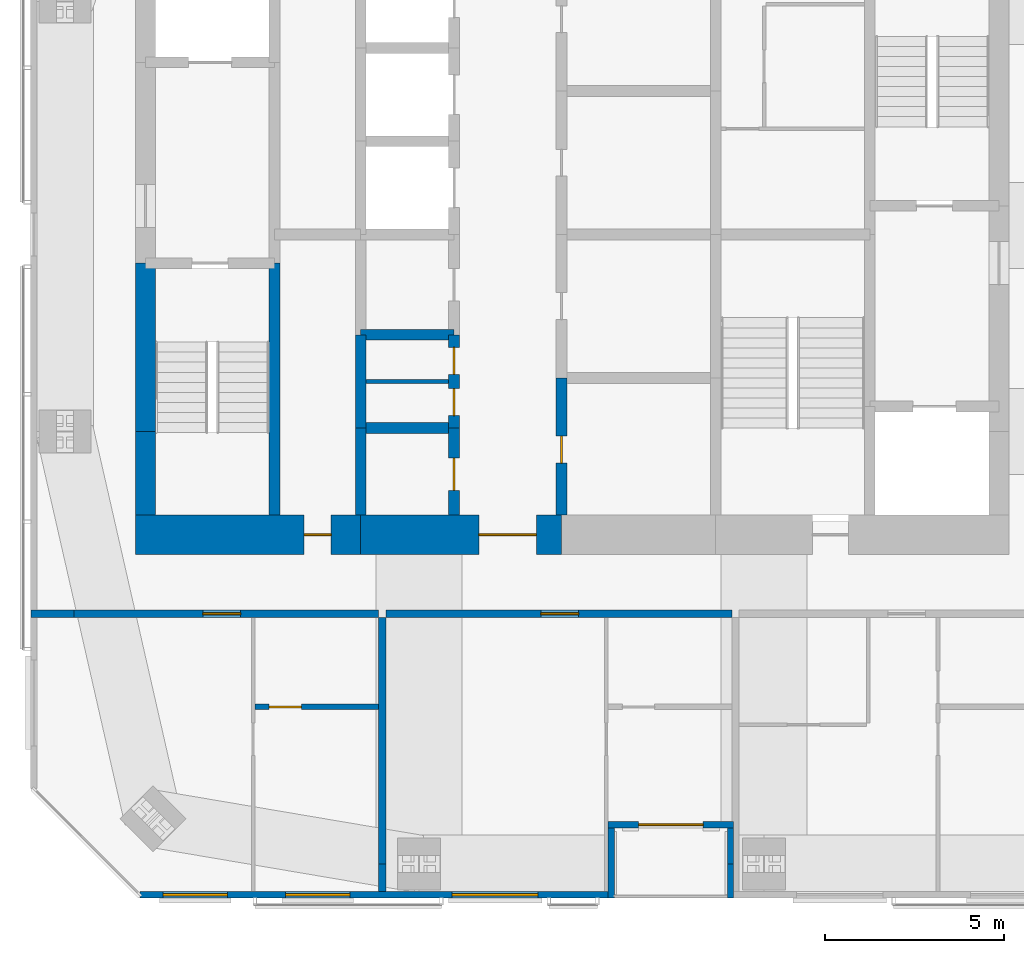
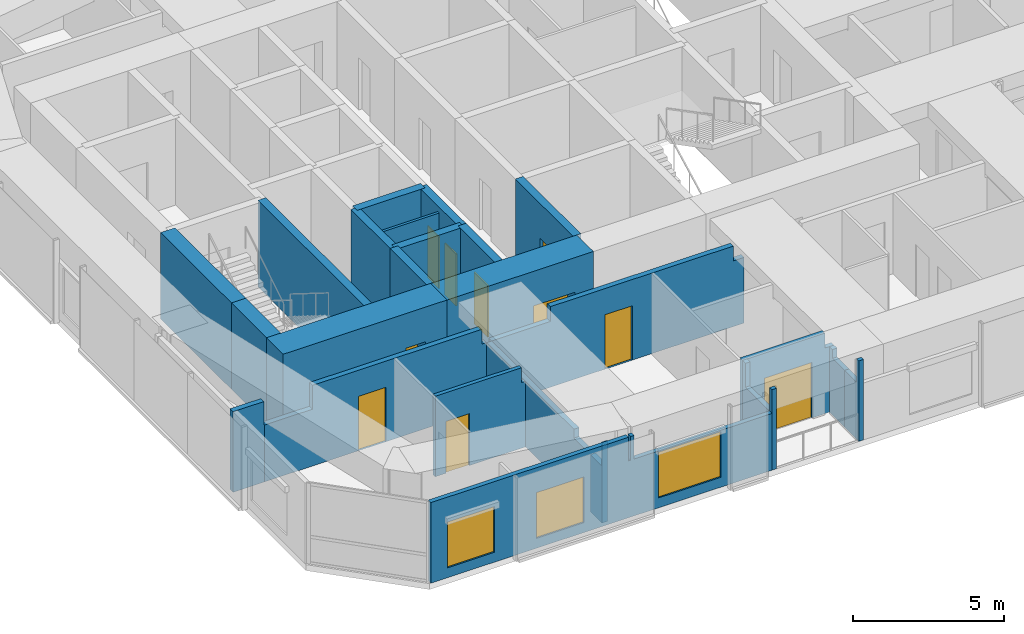
# One storey, part 14 of 20: 24 walls, 10 doors, 3 windows, 13 openings.
"""IFC4 building model written with IfcOpenShell, lengths in metres."""

from ifc_helpers import new_model, si_unit, direction, frame, frame_2d, origin, place, context, subcontext, project, spatial, polyline, rectangle, outline, extrude, material, layer, layer_set, constituent, constituent_set, type_object, element, fill, save


model = new_model("IFC4")

# Units and contexts
model_context = context("Model", 3, precision=1e-05, world=origin(), true_north=direction((0.0, 1.0)))
body_context = subcontext(model_context, "Body", "Model", "MODEL_VIEW")
ifc_project = project(units=[si_unit("LENGTHUNIT", "METRE"), si_unit("AREAUNIT", "SQUARE_METRE"), si_unit("VOLUMEUNIT", "CUBIC_METRE"), si_unit("PLANEANGLEUNIT", "RADIAN"), si_unit("MASSUNIT", "GRAM", prefix="KILO")], contexts=[model_context])

# Site, building, storey
site_placement = place(None, origin())
site = spatial("IfcSite", under=ifc_project, at=site_placement, CompositionType="ELEMENT")
building_placement = place(site_placement, origin())
building = spatial("IfcBuilding", under=site, at=building_placement, Name="Jalousie Tower", CompositionType="ELEMENT")
storey_placement = place(building_placement, frame((0.0, 0.0, 245.949951171875)))
storey = spatial("IfcBuildingStorey", under=building, at=storey_placement, Name="L67", CompositionType="ELEMENT", Elevation=245.949951171875)

# Wall, opening, door
ifc_material_1 = material(Name="Concrete block ASTM C90", Category="concrete")
ifc_constituent_1 = constituent(ifc_material_1, Name="Body")
ifc_material_2 = material(Name="Render")
ifc_constituent_2 = constituent(ifc_material_2, Name="Finish")
ifc_constituent_set_1 = constituent_set(constituents=[ifc_constituent_1, ifc_constituent_2])
wall_type_1 = type_object("IfcWallType", Name="BATHROOM WALL 150", PredefinedType="PLUMBINGWALL", material=ifc_constituent_set_1)
wall_1_placement = place(storey_placement, frame((23.050048828125, 5.324951171875, 0.0), z_axis=(0.0, 0.0, 1.0), x_axis=(1.0, 0.0, 0.0)))
wall_1 = element("IfcWall", 1, at=wall_1_placement, inside=storey, type_object=wall_type_1, Name="Bathroom Wall 150 L67", PredefinedType="PLUMBINGWALL", context=body_context, shape_type="SweptSolid", body=[
    extrude(outline(polyline([(0.0, 0.0), (3.449951171875, 0.0), (3.449951171875, 3.260009765625), (3.449951171875, 2.66015625), (3.2900390625, 2.66015625), (3.2900390625, 3.260009765625), (0.0, 3.260009765625), (0.0, 0.0)])), frame((0.0, 0.074951171875, 0.0), z_axis=(0.0, -1.0, 0.0), x_axis=(1.0, 0.0, 0.0)), (0.0, 0.0, 1.0), 0.14990234375),
])
opening_1_placement = place(wall_1_placement, frame((0.39990234375, 0.0, 0.0)))
opening_1 = element("IfcOpeningElement", 2, at=opening_1_placement, cuts=wall_1, Name="Opening D3", PredefinedType="OPENING", context=body_context, shape_type="SweptSolid", body=[
    extrude(rectangle(XDim=0.89990234375, YDim=2.10009765625, at=frame_2d((0.449951171875, 1.050048828125))), frame((0.0, 0.0849609375, 0.0), z_axis=(0.0, -1.0, 0.0), x_axis=(1.0, 0.0, 0.0)), (0.0, 0.0, 1.0), 0.169921875),
])
ifc_material_3 = material(Name="Timber door", Category="wood")
door_type_1 = type_object("IfcDoorType", Name="BATHROOM DOOR 900", OperationType="SINGLE_SWING_LEFT", PredefinedType="DOOR", material=ifc_material_3)
door_1_placement = place(opening_1_placement, origin())
door_1 = element("IfcDoor", 3, at=door_1_placement, inside=storey, type_object=door_type_1, Name="Apartment 6701 bedroom 1 bathroom door", OperationType="SINGLE_SWING_LEFT", OverallHeight=2.10009765625, OverallWidth=0.89990234375, PredefinedType="DOOR", context=body_context, shape_type="SweptSolid", body=[
    extrude(rectangle(XDim=0.89990234375, YDim=2.10009765625, at=frame_2d((0.449951171875, 1.050048828125))), frame((0.0, 0.02490234375, 0.0), z_axis=(0.0, -1.0, 0.0), x_axis=(1.0, 0.0, 0.0)), (0.0, 0.0, 1.0), 0.050048828125),
])
fill(opening_1, door_1)

ifc_material_4 = material(Name="Concrete f'c 120 MPa", Category="concrete")
ifc_layer_1 = layer(ifc_material_4, 1.10009765625)
ifc_layer_set_1 = layer_set([ifc_layer_1], Name="Concrete f'c 120 MPa")
wall_type_2 = type_object("IfcWallType", Name="CORE WALL 1100", PredefinedType="SHEAR", material=ifc_layer_set_1)
wall_2_placement = place(storey_placement, frame((19.72509765625, 10.125, 0.0), z_axis=(0.0, 0.0, 1.0), x_axis=(1.0, 0.0, 0.0)))
wall_2 = element("IfcWall", 4, at=wall_2_placement, inside=storey, type_object=wall_type_2, Name="Core wall SA L67", PredefinedType="SHEAR", context=body_context, shape_type="SweptSolid", body=[
    extrude(rectangle(XDim=6.27490234375, YDim=1.10009765625, at=frame_2d((3.137451171875, 0.0))), origin(), (0.0, 0.0, 1.0), 3.5),
])
opening_2_placement = place(wall_2_placement, frame((4.699951171875, 0.0, 0.0)))
opening_2 = element("IfcOpeningElement", 5, at=opening_2_placement, cuts=wall_2, Name="Opening D16", PredefinedType="OPENING", context=body_context, shape_type="SweptSolid", body=[
    extrude(rectangle(XDim=0.75, YDim=2.10009765625, at=frame_2d((0.375, 1.050048828125))), frame((0.0, 0.56005859375, 0.0), z_axis=(0.0, -1.0, 0.0), x_axis=(1.0, 0.0, 0.0)), (0.0, 0.0, 1.0), 1.1201171875),
])
ifc_material_5 = material(Name="Steel fire door", Category="steel")
door_type_2 = type_object("IfcDoorType", Name="RISER DOOR 750", OperationType="SINGLE_SWING_LEFT", PredefinedType="DOOR", material=ifc_material_5)
door_2_placement = place(opening_2_placement, origin())
door_2 = element("IfcDoor", 6, at=door_2_placement, inside=storey, type_object=door_type_2, Name="South riser door", OperationType="SINGLE_SWING_RIGHT", OverallHeight=2.10009765625, OverallWidth=0.75, PredefinedType="DOOR", context=body_context, shape_type="SweptSolid", body=[
    extrude(rectangle(XDim=0.75, YDim=2.10009765625, at=frame_2d((0.375, 1.050048828125))), frame((0.0, 0.02490234375, 0.0), z_axis=(0.0, -1.0, 0.0), x_axis=(1.0, 0.0, 0.0)), (0.0, 0.0, 1.0), 0.050048828125),
])
fill(opening_2, door_2)

wall_3_placement = place(storey_placement, frame((26.0, 10.125, 0.0), z_axis=(0.0, 0.0, 1.0), x_axis=(1.0, 0.0, 0.0)))
wall_3 = element("IfcWall", 7, at=wall_3_placement, inside=storey, type_object=wall_type_2, Name="Core wall SB L67", PredefinedType="SHEAR", context=body_context, shape_type="SweptSolid", body=[
    extrude(rectangle(XDim=5.60009765625, YDim=1.10009765625, at=frame_2d((2.800048828125, 0.0))), origin(), (0.0, 0.0, 1.0), 3.5),
])
opening_3_placement = place(wall_3_placement, frame((3.300048828125, 0.0, 0.0)))
opening_3 = element("IfcOpeningElement", 8, at=opening_3_placement, cuts=wall_3, Name="Opening D15", PredefinedType="OPENING", context=body_context, shape_type="SweptSolid", body=[
    extrude(rectangle(XDim=1.60009765625, YDim=2.10009765625, at=frame_2d((0.800048828125, 1.050048828125))), frame((0.0, 0.56005859375, 0.0), z_axis=(0.0, -1.0, 0.0), x_axis=(1.0, 0.0, 0.0)), (0.0, 0.0, 1.0), 1.1201171875),
])
ifc_material_6 = material(Name="Steel fire door", Category="steel")
door_type_3 = type_object("IfcDoorType", Name="LIFT LOBBY DOOR 1600", OperationType="DOUBLE_DOOR_SINGLE_SWING", PredefinedType="DOOR", material=ifc_material_6)
door_3_placement = place(opening_3_placement, origin())
door_3 = element("IfcDoor", 9, at=door_3_placement, inside=storey, type_object=door_type_3, Name="Lift lobby south door", OperationType="DOUBLE_DOOR_SINGLE_SWING", OverallHeight=2.10009765625, OverallWidth=1.60009765625, PredefinedType="DOOR", context=body_context, shape_type="SweptSolid", body=[
    extrude(rectangle(XDim=1.60009765625, YDim=2.10009765625, at=frame_2d((0.800048828125, 1.050048828125))), frame((0.0, 0.02490234375, 0.0), z_axis=(0.0, -1.0, 0.0), x_axis=(1.0, 0.0, 0.0)), (0.0, 0.0, 1.0), 0.050048828125),
])
fill(opening_3, door_3)

# Walls
ifc_material_7 = material(Name="Concrete f'c 120 MPa", Category="concrete")
ifc_layer_2 = layer(ifc_material_7, 0.300048828125)
ifc_layer_set_2 = layer_set([ifc_layer_2], Name="Concrete f'c 120 MPa")
wall_type_3 = type_object("IfcWallType", Name="CORE WALL 300", PredefinedType="SHEAR", material=ifc_layer_set_2)
wall_4_placement = place(storey_placement, frame((23.60009765625, 10.675048828125, 0.0), z_axis=(0.0, 0.0, 1.0), x_axis=(0.0, 1.0, 0.0)))
element("IfcWall", 10, at=wall_4_placement, inside=storey, type_object=wall_type_3, Name="Core wall X23.6A L67", PredefinedType="SHEAR", context=body_context, shape_type="SweptSolid", body=[
    extrude(rectangle(XDim=7.02490234375, YDim=0.300048828125, at=frame_2d((3.512451171875, 0.0))), origin(), (0.0, 0.0, 1.0), 3.5),
])
wall_5_placement = place(storey_placement, frame((26.0, 10.675048828125, 0.0), z_axis=(0.0, 0.0, 1.0), x_axis=(0.0, 1.0, 0.0)))
element("IfcWall", 11, at=wall_5_placement, inside=storey, type_object=wall_type_3, Name="Core wall X26A L67", PredefinedType="SHEAR", context=body_context, shape_type="SweptSolid", body=[
    extrude(rectangle(XDim=2.425048828125, YDim=0.300048828125, at=frame_2d((1.21240234375, 0.0))), origin(), (0.0, 0.0, 1.0), 3.5),
])
wall_6_placement = place(storey_placement, frame((26.0, 13.10009765625, 0.0), z_axis=(0.0, 0.0, 1.0), x_axis=(0.0, 1.0, 0.0)))
element("IfcWall", 12, at=wall_6_placement, inside=storey, type_object=wall_type_3, Name="Core wall X26B L67", PredefinedType="SHEAR", context=body_context, shape_type="SweptSolid", body=[
    extrude(rectangle(XDim=2.599853515625, YDim=0.300048828125, at=frame_2d((1.2998046875, 0.0))), origin(), (0.0, 0.0, 1.0), 3.5),
])

# Wall, opening, door
wall_7_placement = place(storey_placement, frame((28.60009765625, 10.675048828125, 0.0), z_axis=(0.0, 0.0, 1.0), x_axis=(0.0, 1.0, 0.0)))
wall_7 = element("IfcWall", 13, at=wall_7_placement, inside=storey, type_object=wall_type_3, Name="Core wall X28.6A L67", PredefinedType="SHEAR", context=body_context, shape_type="SweptSolid", body=[
    extrude(rectangle(XDim=2.425048828125, YDim=0.300048828125, at=frame_2d((1.21240234375, 0.0))), origin(), (0.0, 0.0, 1.0), 3.5),
])
opening_4_placement = place(wall_7_placement, frame((0.6875, 0.0, 0.0)))
opening_4 = element("IfcOpeningElement", 14, at=opening_4_placement, cuts=wall_7, Name="Opening D24", PredefinedType="OPENING", context=body_context, shape_type="SweptSolid", body=[
    extrude(rectangle(XDim=0.89990234375, YDim=2.10009765625, at=frame_2d((0.449951171875, 1.050048828125))), frame((0.0, 0.159912109375, 0.0), z_axis=(0.0, -1.0, 0.0), x_axis=(1.0, 0.0, 0.0)), (0.0, 0.0, 1.0), 0.320068359375),
])
ifc_material_8 = material(Name="Steel fire door", Category="steel")
door_type_4 = type_object("IfcDoorType", Name="CORE ROOM DOOR 900", OperationType="SINGLE_SWING_LEFT", PredefinedType="DOOR", material=ifc_material_8)
door_4_placement = place(opening_4_placement, origin())
door_4 = element("IfcDoor", 15, at=door_4_placement, inside=storey, type_object=door_type_4, Name="Linen store door", OperationType="SINGLE_SWING_RIGHT", OverallHeight=2.10009765625, OverallWidth=0.89990234375, PredefinedType="DOOR", context=body_context, shape_type="SweptSolid", body=[
    extrude(rectangle(XDim=0.89990234375, YDim=2.10009765625, at=frame_2d((0.449951171875, 1.050048828125))), frame((0.0, 0.02490234375, 0.0), z_axis=(0.0, -1.0, 0.0), x_axis=(1.0, 0.0, 0.0)), (0.0, 0.0, 1.0), 0.050048828125),
])
fill(opening_4, door_4)

# Wall, openings, doors
wall_8_placement = place(storey_placement, frame((28.60009765625, 13.10009765625, 0.0), z_axis=(0.0, 0.0, 1.0), x_axis=(0.0, 1.0, 0.0)))
wall_8 = element("IfcWall", 16, at=wall_8_placement, inside=storey, type_object=wall_type_3, Name="Core wall X28.6B L67", PredefinedType="SHEAR", context=body_context, shape_type="SweptSolid", body=[
    extrude(rectangle(XDim=2.599853515625, YDim=0.300048828125, at=frame_2d((1.2998046875, 0.0))), origin(), (0.0, 0.0, 1.0), 3.5),
])
opening_5_placement = place(wall_8_placement, frame((0.35009765625, 0.0, 0.0)))
opening_5 = element("IfcOpeningElement", 17, at=opening_5_placement, cuts=wall_8, Name="Opening D27", PredefinedType="OPENING", context=body_context, shape_type="SweptSolid", body=[
    extrude(rectangle(XDim=0.75, YDim=2.10009765625, at=frame_2d((0.375, 1.050048828125))), frame((0.0, 0.159912109375, 0.0), z_axis=(0.0, -1.0, 0.0), x_axis=(1.0, 0.0, 0.0)), (0.0, 0.0, 1.0), 0.320068359375),
])
opening_6_placement = place(wall_8_placement, frame((1.5, 0.0, 0.0)))
opening_6 = element("IfcOpeningElement", 18, at=opening_6_placement, cuts=wall_8, Name="Opening D27", PredefinedType="OPENING", context=body_context, shape_type="SweptSolid", body=[
    extrude(rectangle(XDim=0.75, YDim=2.10009765625, at=frame_2d((0.375, 1.050048828125))), frame((0.0, 0.159912109375, 0.0), z_axis=(0.0, -1.0, 0.0), x_axis=(1.0, 0.0, 0.0)), (0.0, 0.0, 1.0), 0.320068359375),
])
ifc_material_9 = material(Name="Steel fire door", Category="steel")
door_type_5 = type_object("IfcDoorType", Name="CORE ROOM DOOR 750", OperationType="SINGLE_SWING_LEFT", PredefinedType="DOOR", material=ifc_material_9)
door_5_placement = place(opening_5_placement, origin())
door_5 = element("IfcDoor", 19, at=door_5_placement, inside=storey, type_object=door_type_5, Name="Housekeeping store door", OperationType="SINGLE_SWING_RIGHT", OverallHeight=2.10009765625, OverallWidth=0.75, PredefinedType="DOOR", context=body_context, shape_type="SweptSolid", body=[
    extrude(rectangle(XDim=0.75, YDim=2.10009765625, at=frame_2d((0.375, 1.050048828125))), frame((0.0, 0.02490234375, 0.0), z_axis=(0.0, -1.0, 0.0), x_axis=(1.0, 0.0, 0.0)), (0.0, 0.0, 1.0), 0.050048828125),
])
fill(opening_5, door_5)
door_6_placement = place(opening_6_placement, origin())
door_6 = element("IfcDoor", 20, at=door_6_placement, inside=storey, type_object=door_type_5, Name="Staff WC door", OperationType="SINGLE_SWING_LEFT", OverallHeight=2.10009765625, OverallWidth=0.75, PredefinedType="DOOR", context=body_context, shape_type="SweptSolid", body=[
    extrude(rectangle(XDim=0.75, YDim=2.10009765625, at=frame_2d((0.375, 1.050048828125))), frame((0.0, 0.02490234375, 0.0), z_axis=(0.0, -1.0, 0.0), x_axis=(1.0, 0.0, 0.0)), (0.0, 0.0, 1.0), 0.050048828125),
])
fill(opening_6, door_6)

# Wall, opening, door
wall_9_placement = place(storey_placement, frame((31.60009765625, 10.675048828125, 0.0), z_axis=(0.0, 0.0, 1.0), x_axis=(0.0, 1.0, 0.0)))
wall_9 = element("IfcWall", 21, at=wall_9_placement, inside=storey, type_object=wall_type_3, Name="Core wall X31.6A L67", PredefinedType="SHEAR", context=body_context, shape_type="SweptSolid", body=[
    extrude(rectangle(XDim=3.824951171875, YDim=0.300048828125, at=frame_2d((1.91259765625, 0.0))), origin(), (0.0, 0.0, 1.0), 3.5),
])
opening_7_placement = place(wall_9_placement, frame((1.449951171875, 0.0, 0.0)))
opening_7 = element("IfcOpeningElement", 22, at=opening_7_placement, cuts=wall_9, Name="Opening D16", PredefinedType="OPENING", context=body_context, shape_type="SweptSolid", body=[
    extrude(rectangle(XDim=0.75, YDim=2.10009765625, at=frame_2d((0.375, 1.050048828125))), frame((0.0, 0.159912109375, 0.0), z_axis=(0.0, -1.0, 0.0), x_axis=(1.0, 0.0, 0.0)), (0.0, 0.0, 1.0), 0.320068359375),
])
door_7_placement = place(opening_7_placement, frame((0.75, 0.0, 0.0), z_axis=(0.0, 0.0, 1.0), x_axis=(-1.0, 0.0, 0.0)))
door_7 = element("IfcDoor", 23, at=door_7_placement, inside=storey, type_object=door_type_2, Name="Refuse Room door", OperationType="SINGLE_SWING_RIGHT", OverallHeight=2.10009765625, OverallWidth=0.75, PredefinedType="DOOR", context=body_context, shape_type="SweptSolid", body=[
    extrude(rectangle(XDim=0.75, YDim=2.10009765625, at=frame_2d((0.375, 1.050048828125))), frame((0.0, 0.02490234375, 0.0), z_axis=(0.0, -1.0, 0.0), x_axis=(1.0, 0.0, 0.0)), (0.0, 0.0, 1.0), 0.050048828125),
])
fill(opening_7, door_7)

# Walls
for number, where, z_axis, x_axis, name in (
    (24, (26.0, 13.10009765625, 0.0), (0.0, 0.0, 1.0), (1.0, 0.0, 0.0), "Core wall Y26-13.1 L67"),
    (25, (26.0, 15.699951171875, 0.0), (0.0, 0.0, 1.0), (1.0, 0.0, 0.0), "Core wall Y26-15.7 L67"),
):
    element("IfcWall", number, at=place(storey_placement, frame(where, z_axis=z_axis, x_axis=x_axis)), inside=storey, type_object=wall_type_3, Name=name, PredefinedType="SHEAR", context=body_context, shape_type="SweptSolid", body=[
        extrude(rectangle(XDim=2.60009765625, YDim=0.300048828125, at=frame_2d((1.300048828125, 0.0))), origin(), (0.0, 0.0, 1.0), 3.5),
    ])
ifc_material_10 = material(Name="Concrete f'c 120 MPa", Category="concrete")
ifc_layer_3 = layer(ifc_material_10, 0.550048828125)
ifc_layer_set_3 = layer_set([ifc_layer_3], Name="Concrete f'c 120 MPa")
wall_type_4 = type_object("IfcWallType", Name="CORE WALL 550", PredefinedType="SHEAR", material=ifc_layer_set_3)
wall_10_placement = place(storey_placement, frame((20.0, 17.699951171875, 0.0), z_axis=(0.0, 0.0, 1.0), x_axis=(0.0, -1.0, 0.0)))
element("IfcWall", 26, at=wall_10_placement, inside=storey, type_object=wall_type_4, Name="Core wall WC L67", PredefinedType="SHEAR", context=body_context, shape_type="SweptSolid", body=[
    extrude(rectangle(XDim=4.699951171875, YDim=0.550048828125, at=frame_2d((2.35009765625, 0.0))), origin(), (0.0, 0.0, 1.0), 3.5),
])
wall_11_placement = place(storey_placement, frame((20.0, 13.0, 0.0), z_axis=(0.0, 0.0, 1.0), x_axis=(0.0, -1.0, 0.0)))
element("IfcWall", 27, at=wall_11_placement, inside=storey, type_object=wall_type_4, Name="Core wall WD L67", PredefinedType="SHEAR", context=body_context, shape_type="SweptSolid", body=[
    extrude(rectangle(XDim=2.324951171875, YDim=0.550048828125, at=frame_2d((1.16259765625, 0.0))), origin(), (0.0, 0.0, 1.0), 3.5),
])

# Wall, opening, door
ifc_material_11 = material(Name="Concrete block ASTM C90", Category="concrete")
ifc_constituent_3 = constituent(ifc_material_11, Name="Body")
ifc_material_12 = material(Name="Render")
ifc_constituent_4 = constituent(ifc_material_12, Name="Finish")
ifc_constituent_set_2 = constituent_set(constituents=[ifc_constituent_3, ifc_constituent_4])
wall_type_5 = type_object("IfcWallType", Name="CORRIDOR WALL 200", PredefinedType="PARTITIONING", material=ifc_constituent_set_2)
wall_12_placement = place(storey_placement, frame((18.0, 7.925048828125, 0.0), z_axis=(0.0, 0.0, 1.0), x_axis=(1.0, 0.0, 0.0)))
wall_12 = element("IfcWall", 28, at=wall_12_placement, inside=storey, type_object=wall_type_5, Name="Corridor Wall 200 L67", PredefinedType="PARTITIONING", context=body_context, shape_type="SweptSolid", body=[
    extrude(outline(polyline([(0.0, 0.0), (8.5, 0.0), (8.5, 3.260009765625), (8.5, 2.66015625), (8.31494140625, 2.66015625), (8.31494140625, 3.260009765625), (1.838623046875, 3.260009765625), (1.838623046875, 2.300048828125), (0.0, 2.300048828125), (0.0, 3.260009765625), (0.0, 0.0)])), frame((0.0, 0.10009765625, 0.0), z_axis=(0.0, -1.0, 0.0), x_axis=(1.0, 0.0, 0.0)), (0.0, 0.0, 1.0), 0.199951171875),
])
opening_8_placement = place(wall_12_placement, frame((3.60009765625, 0.0, 0.0)))
opening_8 = element("IfcOpeningElement", 29, at=opening_8_placement, cuts=wall_12, Name="Opening D1", PredefinedType="OPENING", context=body_context, shape_type="SweptSolid", body=[
    extrude(rectangle(XDim=1.050048828125, YDim=2.199951171875, at=frame_2d((0.52490234375, 1.10009765625))), frame((0.0, 0.10986328125, 0.0), z_axis=(0.0, -1.0, 0.0), x_axis=(1.0, 0.0, 0.0)), (0.0, 0.0, 1.0), 0.219970703125),
])
ifc_material_13 = material(Name="Timber fire door", Category="wood")
door_type_6 = type_object("IfcDoorType", Name="APARTMENT ENTRANCE DOOR 1050", OperationType="SINGLE_SWING_LEFT", PredefinedType="DOOR", material=ifc_material_13)
door_8_placement = place(opening_8_placement, frame((1.050048828125, 0.0, 0.0), z_axis=(0.0, 0.0, 1.0), x_axis=(-1.0, 0.0, 0.0)))
door_8 = element("IfcDoor", 30, at=door_8_placement, inside=storey, type_object=door_type_6, Name="Apartment 6701 entrance", OperationType="SINGLE_SWING_LEFT", OverallHeight=2.199951171875, OverallWidth=1.050048828125, PredefinedType="DOOR", context=body_context, shape_type="SweptSolid", body=[
    extrude(rectangle(XDim=1.050048828125, YDim=2.199951171875, at=frame_2d((0.52490234375, 1.10009765625))), frame((0.0, 0.02490234375, 0.0), z_axis=(0.0, -1.0, 0.0), x_axis=(1.0, 0.0, 0.0)), (0.0, 0.0, 1.0), 0.050048828125),
])
fill(opening_8, door_8)

wall_13_placement = place(storey_placement, frame((26.699951171875, 7.925048828125, 0.0), z_axis=(0.0, 0.0, 1.0), x_axis=(1.0, 0.0, 0.0)))
wall_13 = element("IfcWall", 31, at=wall_13_placement, inside=storey, type_object=wall_type_5, Name="Corridor Wall 200 L67", PredefinedType="PARTITIONING", context=body_context, shape_type="SweptSolid", body=[
    extrude(outline(polyline([(0.0, 0.0), (9.650146484375, 0.0), (9.64990234375, 3.260009765625), (9.64990234375, 2.66015625), (9.239990234375, 2.66015625), (9.239990234375, 3.260009765625), (2.235107421875, 3.260009765625), (2.235107421875, 2.66015625), (0.0, 2.66015625), (0.0, 3.260009765625), (0.0, 0.0)])), frame((0.0, 0.10009765625, 0.0), z_axis=(0.0, -1.0, 0.0), x_axis=(1.0, 0.0, 0.0)), (0.0, 0.0, 1.0), 0.199951171875),
])
opening_9_placement = place(wall_13_placement, frame((4.324951171875, 0.0, 0.0)))
opening_9 = element("IfcOpeningElement", 32, at=opening_9_placement, cuts=wall_13, Name="Opening D1", PredefinedType="OPENING", context=body_context, shape_type="SweptSolid", body=[
    extrude(rectangle(XDim=1.050048828125, YDim=2.199951171875, at=frame_2d((0.52490234375, 1.10009765625))), frame((0.0, 0.10986328125, 0.0), z_axis=(0.0, -1.0, 0.0), x_axis=(1.0, 0.0, 0.0)), (0.0, 0.0, 1.0), 0.219970703125),
])
door_9_placement = place(opening_9_placement, frame((1.050048828125, 0.0, 0.0), z_axis=(0.0, 0.0, 1.0), x_axis=(-1.0, 0.0, 0.0)))
door_9 = element("IfcDoor", 33, at=door_9_placement, inside=storey, type_object=door_type_6, Name="Apartment 6702 entrance", OperationType="SINGLE_SWING_LEFT", OverallHeight=2.199951171875, OverallWidth=1.050048828125, PredefinedType="DOOR", context=body_context, shape_type="SweptSolid", body=[
    extrude(rectangle(XDim=1.050048828125, YDim=2.199951171875, at=frame_2d((0.52490234375, 1.10009765625))), frame((0.0, 0.02490234375, 0.0), z_axis=(0.0, -1.0, 0.0), x_axis=(1.0, 0.0, 0.0)), (0.0, 0.0, 1.0), 0.050048828125),
])
fill(opening_9, door_9)

# Wall, openings, windows
ifc_material_14 = material(Name="Concrete f'c 40 MPa", Category="concrete")
ifc_constituent_5 = constituent(ifc_material_14, Name="Body")
ifc_material_15 = material(Name="Render, pastel sky blue")
ifc_constituent_6 = constituent(ifc_material_15, Name="Finish")
ifc_constituent_set_3 = constituent_set(constituents=[ifc_constituent_5, ifc_constituent_6])
wall_type_6 = type_object("IfcWallType", Name="EXTERNAL WALL 175 SKY BLUE RENDER", PredefinedType="SOLIDWALL", material=ifc_constituent_set_3)
wall_14_placement = place(storey_placement, frame((19.851318359375, 0.08740234375, 0.0), z_axis=(0.0, 0.0, 1.0), x_axis=(1.0, 0.0, 0.0)))
wall_14 = element("IfcWall", 34, at=wall_14_placement, inside=storey, type_object=wall_type_6, Name="External Wall 175 Sky Blue Render L67", PredefinedType="SOLIDWALL", context=body_context, shape_type="SweptSolid", body=[
    extrude(outline(polyline([(0.0, 0.0), (13.048583984375, 0.0), (13.048583984375, 2.300048828125), (7.773681640625, 2.300048828125), (7.773681640625, 3.260009765625), (7.642333984375, 3.260009765625), (7.642333984375, 2.300048828125), (7.558837890625, 2.300048828125), (7.558837890625, 3.260009765625), (0.0, 3.260009765625), (0.0, 0.0)])), frame((0.0, 0.08740234375, 0.0), z_axis=(0.0, -1.0, 0.0), x_axis=(1.0, 0.0, 0.0)), (0.0, 0.0, 1.0), 0.175048828125),
])
opening_10_placement = place(wall_14_placement, frame((0.636474609375, 0.0, 0.39990234375)))
opening_10 = element("IfcOpeningElement", 35, at=opening_10_placement, cuts=wall_14, Name="Opening W-BED185", PredefinedType="OPENING", context=body_context, shape_type="SweptSolid", body=[
    extrude(rectangle(XDim=1.800048828125, YDim=1.85009765625, at=frame_2d((0.89990234375, 0.925048828125))), frame((0.0, 0.097412109375, 0.0), z_axis=(0.0, -1.0, 0.0), x_axis=(1.0, 0.0, 0.0)), (0.0, 0.0, 1.0), 0.195068359375),
])
opening_11_placement = place(wall_14_placement, frame((4.048583984375, 0.0, 0.39990234375)))
opening_11 = element("IfcOpeningElement", 36, at=opening_11_placement, cuts=wall_14, Name="Opening W-BED185", PredefinedType="OPENING", context=body_context, shape_type="SweptSolid", body=[
    extrude(rectangle(XDim=1.800048828125, YDim=1.85009765625, at=frame_2d((0.89990234375, 0.925048828125))), frame((0.0, 0.097412109375, 0.0), z_axis=(0.0, -1.0, 0.0), x_axis=(1.0, 0.0, 0.0)), (0.0, 0.0, 1.0), 0.195068359375),
])
opening_12_placement = place(wall_14_placement, frame((8.69873046875, 0.0, 0.39990234375)))
opening_12 = element("IfcOpeningElement", 37, at=opening_12_placement, cuts=wall_14, Name="Opening W-LIV185", PredefinedType="OPENING", context=body_context, shape_type="SweptSolid", body=[
    extrude(rectangle(XDim=2.39990234375, YDim=1.85009765625, at=frame_2d((1.199951171875, 0.925048828125))), frame((0.0, 0.097412109375, 0.0), z_axis=(0.0, -1.0, 0.0), x_axis=(1.0, 0.0, 0.0)), (0.0, 0.0, 1.0), 0.195068359375),
])
ifc_material_16 = material(Name="Aluminium frame, impact-rated glazing", Category="aluminium")
window_type_1 = type_object("IfcWindowType", Name="WINDOW BED 1800x1850", PartitioningType="SINGLE_PANEL", PredefinedType="WINDOW", material=ifc_material_16)
window_1_placement = place(opening_10_placement, origin())
window_1 = element("IfcWindow", 38, at=window_1_placement, inside=storey, type_object=window_type_1, Name="Apartment 6701 living, dining and kitchen window", OverallHeight=1.85009765625, OverallWidth=1.800048828125, PartitioningType="SINGLE_PANEL", PredefinedType="WINDOW", context=body_context, shape_type="SweptSolid", body=[
    extrude(rectangle(XDim=1.800048828125, YDim=1.85009765625, at=frame_2d((0.89990234375, 0.925048828125))), frame((0.0, 0.030029296875, 0.0), z_axis=(0.0, -1.0, 0.0), x_axis=(1.0, 0.0, 0.0)), (0.0, 0.0, 1.0), 0.06005859375),
])
fill(opening_10, window_1)
window_2_placement = place(opening_11_placement, origin())
window_2 = element("IfcWindow", 39, at=window_2_placement, inside=storey, type_object=window_type_1, Name="Apartment 6701 bedroom 1 window", OverallHeight=1.85009765625, OverallWidth=1.800048828125, PartitioningType="SINGLE_PANEL", PredefinedType="WINDOW", context=body_context, shape_type="SweptSolid", body=[
    extrude(rectangle(XDim=1.800048828125, YDim=1.85009765625, at=frame_2d((0.89990234375, 0.925048828125))), frame((0.0, 0.030029296875, 0.0), z_axis=(0.0, -1.0, 0.0), x_axis=(1.0, 0.0, 0.0)), (0.0, 0.0, 1.0), 0.06005859375),
])
fill(opening_11, window_2)
ifc_material_17 = material(Name="Aluminium frame, impact-rated glazing", Category="aluminium")
window_type_2 = type_object("IfcWindowType", Name="WINDOW LIV 2400x1850", PartitioningType="DOUBLE_PANEL_VERTICAL", PredefinedType="WINDOW", material=ifc_material_17)
window_3_placement = place(opening_12_placement, origin())
window_3 = element("IfcWindow", 40, at=window_3_placement, inside=storey, type_object=window_type_2, Name="Apartment 6702 living, dining and kitchen window", OverallHeight=1.85009765625, OverallWidth=2.39990234375, PartitioningType="SINGLE_PANEL", PredefinedType="WINDOW", context=body_context, shape_type="SweptSolid", body=[
    extrude(rectangle(XDim=2.39990234375, YDim=1.85009765625, at=frame_2d((1.199951171875, 0.925048828125))), frame((0.0, 0.030029296875, 0.0), z_axis=(0.0, -1.0, 0.0), x_axis=(1.0, 0.0, 0.0)), (0.0, 0.0, 1.0), 0.06005859375),
])
fill(opening_12, window_3)

# Wall, opening, door
wall_15_placement = place(storey_placement, frame((32.89990234375, 2.03759765625, 0.0), z_axis=(0.0, 0.0, 1.0), x_axis=(1.0, 0.0, 0.0)))
wall_15 = element("IfcWall", 41, at=wall_15_placement, inside=storey, type_object=wall_type_6, Name="External Wall 175 Sky Blue Render L67", PredefinedType="SOLIDWALL", context=body_context, shape_type="SweptSolid", body=[
    extrude(outline(polyline([(0.0, 0.0), (3.5, 0.0), (3.5, 2.66015625), (3.14990234375, 2.66015625), (3.14990234375, 3.260009765625), (0.0, 3.260009765625), (0.0, 0.0)])), frame((0.0, 0.08740234375, 0.0), z_axis=(0.0, -1.0, 0.0), x_axis=(1.0, 0.0, 0.0)), (0.0, 0.0, 1.0), 0.175048828125),
])
opening_13_placement = place(wall_15_placement, frame((0.85009765625, 0.0, 0.0)))
opening_13 = element("IfcOpeningElement", 42, at=opening_13_placement, cuts=wall_15, Name="Opening D-BAL22", PredefinedType="OPENING", context=body_context, shape_type="SweptSolid", body=[
    extrude(rectangle(XDim=1.800048828125, YDim=2.25, at=frame_2d((0.89990234375, 1.125))), frame((0.0, 0.097412109375, 0.0), z_axis=(0.0, -1.0, 0.0), x_axis=(1.0, 0.0, 0.0)), (0.0, 0.0, 1.0), 0.195068359375),
])
ifc_material_18 = material(Name="Aluminium frame, impact-rated glazing", Category="aluminium")
door_type_7 = type_object("IfcDoorType", Name="BALCONY DOOR 1800x2250", OperationType="SLIDING_TO_LEFT", PredefinedType="DOOR", material=ifc_material_18)
door_10_placement = place(opening_13_placement, origin())
door_10 = element("IfcDoor", 43, at=door_10_placement, inside=storey, type_object=door_type_7, Name="Apartment 6702 bedroom 1 loggia door", OperationType="SLIDING_TO_LEFT", OverallHeight=2.25, OverallWidth=1.800048828125, PredefinedType="DOOR", context=body_context, shape_type="SweptSolid", body=[
    extrude(rectangle(XDim=1.800048828125, YDim=2.25, at=frame_2d((0.89990234375, 1.125))), frame((0.0, 0.02490234375, 0.0), z_axis=(0.0, -1.0, 0.0), x_axis=(1.0, 0.0, 0.0)), (0.0, 0.0, 1.0), 0.050048828125),
])
fill(opening_13, door_10)

# Walls
wall_16_placement = place(storey_placement, frame((32.987548828125, 0.0, 0.0), z_axis=(0.0, 0.0, 1.0), x_axis=(0.0, 1.0, 0.0)))
element("IfcWall", 44, at=wall_16_placement, inside=storey, type_object=wall_type_6, Name="External Wall 175 Sky Blue Render L67", PredefinedType="SOLIDWALL", context=body_context, shape_type="SweptSolid", body=[
    extrude(outline(polyline([(0.0, 0.0), (1.949951171875, 0.0), (1.949951171875, 3.260009765625), (1.75, 3.260009765625), (1.75, 2.300048828125), (0.14990234375, 2.300048828125), (0.14990234375, 3.260009765625), (0.0, 3.260009765625), (0.0, 0.0)])), frame((0.0, 0.08740234375, 0.0), z_axis=(0.0, -1.0, 0.0), x_axis=(1.0, 0.0, 0.0)), (0.0, 0.0, 1.0), 0.175048828125),
])
wall_17_placement = place(storey_placement, frame((36.3125, 0.0, 0.0), z_axis=(0.0, 0.0, 1.0), x_axis=(0.0, 1.0, 0.0)))
element("IfcWall", 45, at=wall_17_placement, inside=storey, type_object=wall_type_6, Name="External Wall 175 Sky Blue Render L67-A", PredefinedType="SOLIDWALL", context=body_context, shape_type="SweptSolid", body=[
    extrude(outline(polyline([(0.0, 0.0), (0.949951171875, 0.0), (0.949951171875, 2.300048828125), (0.14990234375, 2.300048828125), (0.14990234375, 3.260009765625), (0.0, 3.260009765625), (0.0, 0.0)])), frame((0.0, 0.08740234375, 0.0), z_axis=(0.0, -1.0, 0.0), x_axis=(1.0, 0.0, 0.0)), (0.0, 0.0, 1.0), 0.175048828125),
])
wall_18_placement = place(storey_placement, frame((36.3125, 0.949951171875, 0.0), z_axis=(0.0, 0.0, 1.0), x_axis=(0.0, 1.0, 0.0)))
element("IfcWall", 46, at=wall_18_placement, inside=storey, type_object=wall_type_6, Name="External Wall 175 Sky Blue Render L67-B", PredefinedType="SOLIDWALL", context=body_context, shape_type="SweptSolid", body=[
    extrude(outline(polyline([(0.0, 0.0), (1.0, 0.0), (1.0, 2.66015625), (0.800048828125, 2.66015625), (0.800048828125, 2.300048828125), (0.0, 2.300048828125), (0.0, 0.0)])), frame((0.0, 0.08740234375, 0.0), z_axis=(0.0, -1.0, 0.0), x_axis=(1.0, 0.0, 0.0)), (0.0, 0.0, 1.0), 0.175048828125),
])
ifc_material_19 = material(Name="Gypsum board", Category="gypsum")
ifc_constituent_7 = constituent(ifc_material_19, Name="Body")
ifc_material_20 = material(Name="Light-gauge steel studs ASTM A653 SS Grade 33", Category="steel")
ifc_constituent_8 = constituent(ifc_material_20, Name="Framing")
ifc_constituent_set_4 = constituent_set(constituents=[ifc_constituent_7, ifc_constituent_8])
wall_type_7 = type_object("IfcWallType", Name="PARTITION 100", PredefinedType="PARTITIONING", material=ifc_constituent_set_4)
wall_19_placement = place(storey_placement, frame((26.14990234375, 14.39990234375, 0.0), z_axis=(0.0, 0.0, 1.0), x_axis=(1.0, 0.0, 0.0)))
element("IfcWall", 47, at=wall_19_placement, inside=storey, type_object=wall_type_7, Name="Partition 100 L67", PredefinedType="PARTITIONING", context=body_context, shape_type="SweptSolid", body=[
    extrude(rectangle(XDim=2.300048828125, YDim=0.10009765625, at=frame_2d((1.14990234375, 0.0))), origin(), (0.0, 0.0, 1.0), 3.260009765625),
])
ifc_material_21 = material(Name="Concrete block ASTM C90", Category="concrete")
ifc_constituent_9 = constituent(ifc_material_21, Name="Body")
ifc_material_22 = material(Name="Render")
ifc_constituent_10 = constituent(ifc_material_22, Name="Finish")
ifc_constituent_set_5 = constituent_set(constituents=[ifc_constituent_9, ifc_constituent_10])
wall_type_8 = type_object("IfcWallType", Name="PARTY WALL 200", PredefinedType="PARTITIONING", material=ifc_constituent_set_5)
wall_20_placement = place(storey_placement, frame((26.60009765625, 0.175048828125, 0.0), z_axis=(0.0, 0.0, 1.0), x_axis=(0.0, 1.0, 0.0)))
element("IfcWall", 48, at=wall_20_placement, inside=storey, type_object=wall_type_8, Name="Party Wall 200 L67-A", PredefinedType="PARTITIONING", context=body_context, shape_type="SweptSolid", body=[
    extrude(outline(polyline([(0.0, 0.0), (0.77490234375, 0.0), (0.77490234375, 2.300048828125), (0.025634765625, 2.300048828125), (0.025634765625, 3.260009765625), (0.0, 3.260009765625), (0.0, 0.0)])), frame((0.0, 0.10009765625, 0.0), z_axis=(0.0, -1.0, 0.0), x_axis=(1.0, 0.0, 0.0)), (0.0, 0.0, 1.0), 0.199951171875),
])
wall_21_placement = place(storey_placement, frame((26.60009765625, 0.949951171875, 0.0), z_axis=(0.0, 0.0, 1.0), x_axis=(0.0, 1.0, 0.0)))
element("IfcWall", 49, at=wall_21_placement, inside=storey, type_object=wall_type_8, Name="Party Wall 200 L67-B", PredefinedType="PARTITIONING", context=body_context, shape_type="SweptSolid", body=[
    extrude(outline(polyline([(0.0, 0.0), (6.875, 0.0), (6.875, 2.66015625), (1.0966796875, 2.66015625), (1.0966796875, 2.300048828125), (0.0, 2.300048828125), (0.0, 0.0)])), frame((0.0, 0.10009765625, 0.0), z_axis=(0.0, -1.0, 0.0), x_axis=(1.0, 0.0, 0.0)), (0.0, 0.0, 1.0), 0.199951171875),
])
wall_22_placement = place(storey_placement, frame((16.800048828125, 7.925048828125, 0.0), z_axis=(0.0, 0.0, 1.0), x_axis=(1.0, 0.0, 0.0)))
element("IfcWall", 50, at=wall_22_placement, inside=storey, type_object=wall_type_8, Name="Party Wall 200 L67", PredefinedType="PARTITIONING", context=body_context, shape_type="SweptSolid", body=[
    extrude(outline(polyline([(0.0, 0.0), (1.199951171875, 0.0), (1.199951171875, 3.260009765625), (1.199951171875, 2.300048828125), (1.172119140625, 2.300048828125), (1.172119140625, 3.260009765625), (0.0, 3.260009765625), (0.0, 0.0)])), frame((0.0, 0.10009765625, 0.0), z_axis=(0.0, -1.0, 0.0), x_axis=(1.0, 0.0, 0.0)), (0.0, 0.0, 1.0), 0.199951171875),
])

save(model, "model.ifc")
